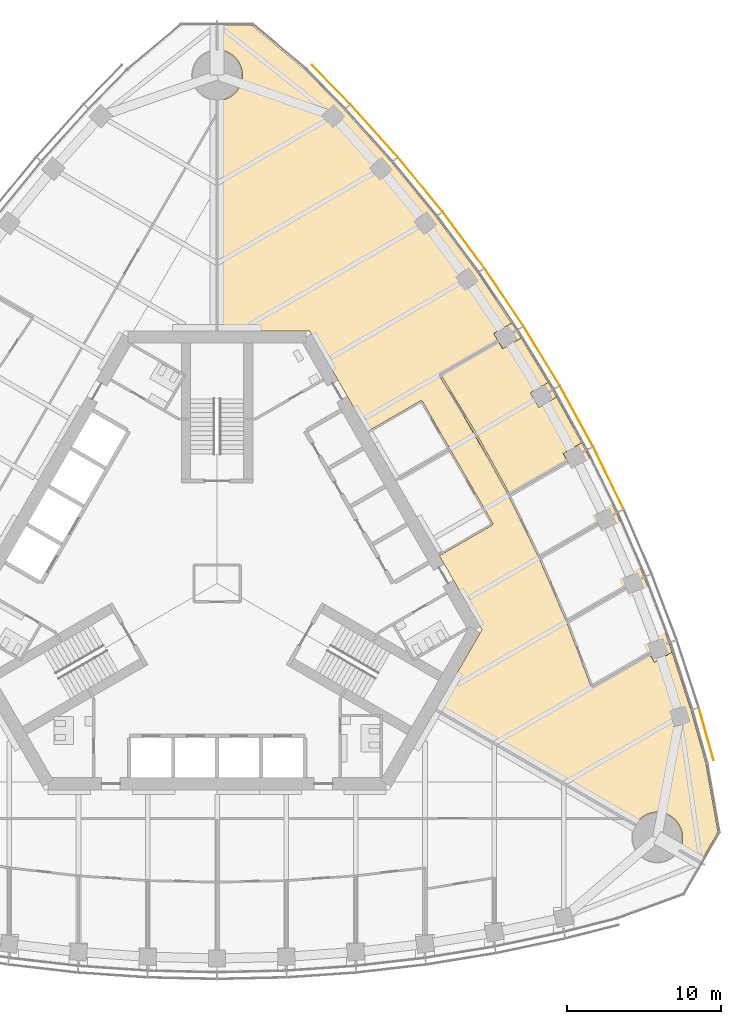
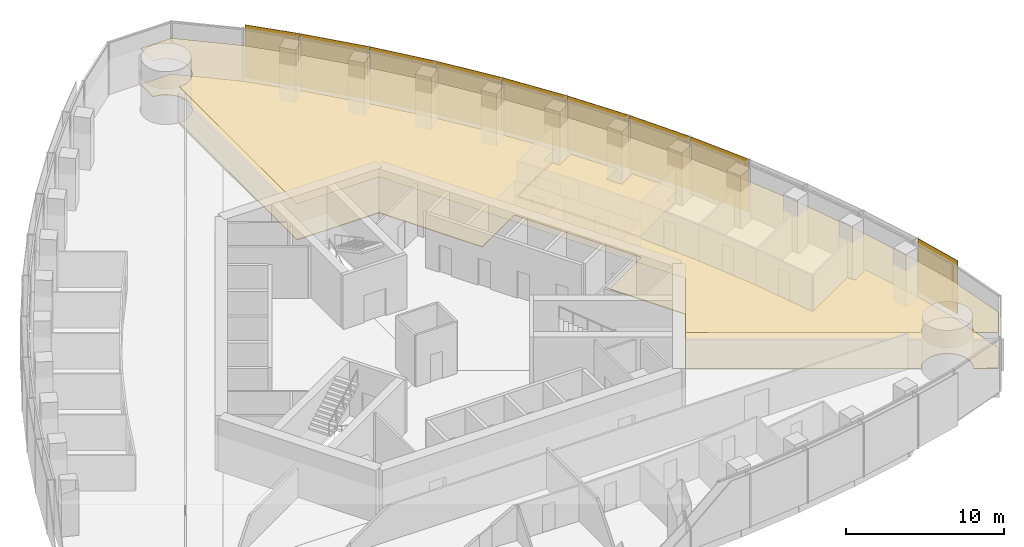
# One storey, part 18 of 20: 9 shading devices, 3 coverings.
"""IFC4 building model written with IfcOpenShell, lengths in metres."""

from ifc_helpers import new_model, si_unit, direction, frame, origin, origin_2d, place, context, subcontext, project, spatial, polyline, rectangle, outline, extrude, material, layer, layer_set, type_object, element, save


model = new_model("IFC4")

# Units and contexts
model_context = context("Model", 3, precision=1e-05, world=origin(), true_north=direction((0.0, 1.0)))
body_context = subcontext(model_context, "Body", "Model", "MODEL_VIEW")
ifc_project = project(units=[si_unit("LENGTHUNIT", "METRE"), si_unit("AREAUNIT", "SQUARE_METRE"), si_unit("VOLUMEUNIT", "CUBIC_METRE"), si_unit("PLANEANGLEUNIT", "RADIAN"), si_unit("MASSUNIT", "GRAM", prefix="KILO")], contexts=[model_context])

# Site, building, storey
site_placement = place(None, origin())
site = spatial("IfcSite", under=ifc_project, at=site_placement, CompositionType="ELEMENT")
building_placement = place(site_placement, origin())
building = spatial("IfcBuilding", under=site, at=building_placement, Name="Trefoil Bronze Tower", CompositionType="ELEMENT")
storey_placement = place(building_placement, frame((0.0, 0.0, 214.89990234375)))
storey = spatial("IfcBuildingStorey", under=building, at=storey_placement, Name="L49", CompositionType="ELEMENT", Elevation=214.89990234375)

# Shading devices
ifc_material_1 = material(Name="Perforated bronze sheet", Category="bronze")
ifc_layer_1 = layer(ifc_material_1, 0.0400390625)
ifc_layer_set_1 = layer_set([ifc_layer_1], Name="Bronze solar screen panel")
shading_device_type = type_object("IfcShadingDeviceType", Name="Bronze solar screen panel", PredefinedType="SHUTTER", material=ifc_layer_set_1)
shading_device_1_placement = place(storey_placement, frame((31.764892578125, -9.7890625, 0.050048828125), z_axis=(0.0, 0.0, 1.0), x_axis=(-0.270282222968, 0.962781138134, 0.0)))
element("IfcShadingDevice", 1, at=shading_device_1_placement, inside=storey, type_object=shading_device_type, Name="Solar screen CW-A L49 F2 bay 1", PredefinedType="SHUTTER", context=body_context, shape_type="SweptSolid", body=[
    extrude(rectangle(XDim=3.53369140625, YDim=0.0400390625, at=origin_2d()), origin(), (0.0, 0.0, 1.0), 4.10009765625),
])
shading_device_2_placement = place(storey_placement, frame((25.4169921875, 6.83740234375, 0.050048828125), z_axis=(0.0, 0.0, 1.0), x_axis=(-0.439129033334, 0.898424004623, 0.0)))
element("IfcShadingDevice", 2, at=shading_device_2_placement, inside=storey, type_object=shading_device_type, Name="Solar screen CW-A L49 F2 bay 5", PredefinedType="SHUTTER", context=body_context, shape_type="SweptSolid", body=[
    extrude(rectangle(XDim=4.480712890625, YDim=0.0400390625, at=origin_2d()), origin(), (0.0, 0.0, 1.0), 4.10009765625),
])
for number, where, z_axis, x_axis, name in (
    (3, (23.3349609375, 10.860107421875, 0.050048828125), (0.0, 0.0, 1.0), (-0.479974003504, 0.877282711536, 0.0), "Solar screen CW-A L49 F2 bay 6"),
    (4, (21.07275390625, 14.77880859375, 0.050048828125), (0.0, 0.0, 1.0), (-0.519762112739, 0.854311035959, 0.0), "Solar screen CW-A L49 F2 bay 7"),
):
    element("IfcShadingDevice", number, at=place(storey_placement, frame(where, z_axis=z_axis, x_axis=x_axis)), inside=storey, type_object=shading_device_type, Name=name, PredefinedType="SHUTTER", context=body_context, shape_type="SweptSolid", body=[
        extrude(rectangle(XDim=4.47119140625, YDim=0.0400390625, at=origin_2d()), origin(), (0.0, 0.0, 1.0), 4.10009765625),
    ])
shading_device_3_placement = place(storey_placement, frame((18.6298828125, 18.59326171875, 0.050048828125), z_axis=(0.0, 0.0, 1.0), x_axis=(-0.558493494706, 0.829508900718, 0.0)))
element("IfcShadingDevice", 5, at=shading_device_3_placement, inside=storey, type_object=shading_device_type, Name="Solar screen CW-A L49 F2 bay 8", PredefinedType="SHUTTER", context=body_context, shape_type="SweptSolid", body=[
    extrude(rectangle(XDim=4.480712890625, YDim=0.0400390625, at=origin_2d()), origin(), (0.0, 0.0, 1.0), 4.10009765625),
])
shading_device_4_placement = place(storey_placement, frame((16.005615234375, 22.302734375, 0.050048828125), z_axis=(0.0, 0.0, 1.0), x_axis=(-0.596161525977, 0.802864518425, 0.0)))
element("IfcShadingDevice", 6, at=shading_device_4_placement, inside=storey, type_object=shading_device_type, Name="Solar screen CW-A L49 F2 bay 9", PredefinedType="SHUTTER", context=body_context, shape_type="SweptSolid", body=[
    extrude(rectangle(XDim=4.5, YDim=0.0400390625, at=origin_2d()), origin(), (0.0, 0.0, 1.0), 4.10009765625),
])
shading_device_5_placement = place(storey_placement, frame((13.197509765625, 25.90625, 0.050048828125), z_axis=(0.0, 0.0, 1.0), x_axis=(-0.63275261301, 0.774354008661, 0.0)))
element("IfcShadingDevice", 7, at=shading_device_5_placement, inside=storey, type_object=shading_device_type, Name="Solar screen CW-A L49 F2 bay 10", PredefinedType="SHUTTER", context=body_context, shape_type="SweptSolid", body=[
    extrude(rectangle(XDim=4.529296875, YDim=0.0400390625, at=origin_2d()), origin(), (0.0, 0.0, 1.0), 4.10009765625),
])
shading_device_6_placement = place(storey_placement, frame((10.20166015625, 29.401611328125, 0.050048828125), z_axis=(0.0, 0.0, 1.0), x_axis=(-0.668245744076, 0.743940606181, 0.0)))
element("IfcShadingDevice", 8, at=shading_device_6_placement, inside=storey, type_object=shading_device_type, Name="Solar screen CW-A L49 F2 bay 11", PredefinedType="SHUTTER", context=body_context, shape_type="SweptSolid", body=[
    extrude(rectangle(XDim=4.5693359375, YDim=0.0400390625, at=origin_2d()), origin(), (0.0, 0.0, 1.0), 4.10009765625),
])
shading_device_7_placement = place(storey_placement, frame((7.40478515625, 32.40380859375, 0.050048828125), z_axis=(0.0, 0.0, 1.0), x_axis=(-0.698651812425, 0.715461840349, 0.0)))
element("IfcShadingDevice", 9, at=shading_device_7_placement, inside=storey, type_object=shading_device_type, Name="Solar screen CW-A L49 F2 bay 12", PredefinedType="SHUTTER", context=body_context, shape_type="SweptSolid", body=[
    extrude(rectangle(XDim=3.53369140625, YDim=0.0400390625, at=origin_2d()), origin(), (0.0, 0.0, 1.0), 4.10009765625),
])

# Coverings
ifc_material_2 = material(Name="Acoustic ceiling panels", Category="mineral fibre")
ifc_layer_2 = layer(ifc_material_2, 0.02001953125)
ifc_layer_set_2 = layer_set([ifc_layer_2], Name="Office ceiling 20")
covering_type_1 = type_object("IfcCoveringType", Name="Office ceiling 20", PredefinedType="CEILING", material=ifc_layer_set_2)
covering_1_placement = place(storey_placement, frame((0.0, 0.0, 2.900146484375)))
element("IfcCovering", 10, at=covering_1_placement, inside=storey, type_object=covering_type_1, Name="Ceiling L49 Open-plan office F2", PredefinedType="CEILING", context=body_context, shape_type="SweptSolid", body=[
    extrude(outline(polyline([(8.26318359375, 30.751708984375), (11.3369140625, 27.329833984375), (14.2216796875, 23.79931640625), (16.92236328125, 20.162353515625), (19.44140625, 16.420654296875), (21.781005859375, 12.5751953125), (23.94140625, 8.62646484375), (25.92236328125, 4.573974609375), (27.7216796875, 0.416748046875), (29.3369140625, -3.846923828125), (30.76318359375, -8.219482421875), (31.7265625, -11.650634765625), (32.518310546875, -16.1416015625), (31.385009765625, -18.1044921875), (30.013916015625, -17.3134765625), (30.033935546875, -17.27783203125), (30.0703125, -17.20556640625), (30.103271484375, -17.13134765625), (30.13232421875, -17.055908203125), (30.15771484375, -16.97900390625), (30.179443359375, -16.90087890625), (30.197021484375, -16.822021484375), (30.2109375, -16.7421875), (30.220947265625, -16.66162109375), (30.226806640625, -16.5810546875), (30.228759765625, -16.5), (30.226806640625, -16.4189453125), (30.220947265625, -16.33837890625), (30.2109375, -16.2578125), (30.197021484375, -16.177978515625), (30.179443359375, -16.09912109375), (30.15771484375, -16.02099609375), (30.13232421875, -15.944091796875), (30.103271484375, -15.86865234375), (30.0703125, -15.79443359375), (30.033935546875, -15.72216796875), (29.994140625, -15.651611328125), (29.95068359375, -15.583251953125), (29.904052734375, -15.51708984375), (29.854248046875, -15.453369140625), (29.801513671875, -15.391845703125), (29.74560546875, -15.333251953125), (29.68701171875, -15.27734375), (29.62548828125, -15.224609375), (29.561767578125, -15.1748046875), (29.49560546875, -15.128173828125), (29.427001953125, -15.084716796875), (29.356689453125, -15.044921875), (29.2841796875, -15.00830078125), (29.210205078125, -14.9755859375), (29.134765625, -14.946533203125), (29.057861328125, -14.9208984375), (28.979736328125, -14.8994140625), (28.900634765625, -14.881591796875), (28.82080078125, -14.867919921875), (28.740478515625, -14.85791015625), (28.659912109375, -14.85205078125), (28.578857421875, -14.85009765625), (28.497802734375, -14.85205078125), (28.4169921875, -14.85791015625), (28.336669921875, -14.867919921875), (28.2568359375, -14.881591796875), (28.177978515625, -14.8994140625), (28.099853515625, -14.9208984375), (28.02294921875, -14.946533203125), (27.947509765625, -14.9755859375), (27.873291015625, -15.00830078125), (27.801025390625, -15.044921875), (27.730712890625, -15.084716796875), (27.662109375, -15.128173828125), (27.595947265625, -15.1748046875), (27.531982421875, -15.224609375), (27.470703125, -15.27734375), (27.412109375, -15.333251953125), (27.356201171875, -15.391845703125), (27.303466796875, -15.453369140625), (27.25341796875, -15.51708984375), (27.206787109375, -15.583251953125), (27.156005859375, -15.6650390625), (14.205810546875, -8.194580078125), (17.205078125, -3.0), (6.00439453125, 16.39990234375), (0.006103515625, 16.39990234375), (0.01171875, 31.350341796875), (0.0810546875, 31.35205078125), (0.16162109375, 31.35791015625), (0.2421875, 31.367919921875), (0.322021484375, 31.381591796875), (0.40087890625, 31.3994140625), (0.47900390625, 31.4208984375), (0.555908203125, 31.446533203125), (0.63134765625, 31.4755859375), (0.70556640625, 31.50830078125), (0.77783203125, 31.544921875), (0.848388671875, 31.584716796875), (0.916748046875, 31.628173828125), (0.98291015625, 31.6748046875), (1.046630859375, 31.724609375), (1.108154296875, 31.77734375), (1.166748046875, 31.833251953125), (1.22265625, 31.891845703125), (1.275390625, 31.953369140625), (1.3251953125, 32.01708984375), (1.371826171875, 32.083251953125), (1.415283203125, 32.151611328125), (1.455078125, 32.22216796875), (1.49169921875, 32.29443359375), (1.5244140625, 32.36865234375), (1.553466796875, 32.444091796875), (1.5791015625, 32.52099609375), (1.6005859375, 32.59912109375), (1.618408203125, 32.677978515625), (1.632080078125, 32.7578125), (1.64208984375, 32.83837890625), (1.64794921875, 32.9189453125), (1.64990234375, 33.0), (1.64794921875, 33.0810546875), (1.64208984375, 33.16162109375), (1.632080078125, 33.2421875), (1.618408203125, 33.322021484375), (1.6005859375, 33.40087890625), (1.5791015625, 33.47900390625), (1.553466796875, 33.555908203125), (1.5244140625, 33.63134765625), (1.49169921875, 33.70556640625), (1.455078125, 33.77783203125), (1.415283203125, 33.848388671875), (1.371826171875, 33.916748046875), (1.3251953125, 33.98291015625), (1.275390625, 34.046630859375), (1.22265625, 34.108154296875), (1.166748046875, 34.166748046875), (1.108154296875, 34.22265625), (1.046630859375, 34.275390625), (0.98291015625, 34.3251953125), (0.916748046875, 34.371826171875), (0.848388671875, 34.415283203125), (0.77783203125, 34.455078125), (0.70556640625, 34.49169921875), (0.63134765625, 34.5244140625), (0.555908203125, 34.553466796875), (0.47900390625, 34.5791015625), (0.40087890625, 34.6005859375), (0.322021484375, 34.618408203125), (0.2421875, 34.632080078125), (0.16162109375, 34.64208984375), (0.0810546875, 34.64794921875), (0.012939453125, 34.649658203125), (0.013671875, 36.232666015625), (2.280029296875, 36.232666015625), (5.7734375, 33.30126953125), (8.26318359375, 30.751708984375)])), origin(), (0.0, 0.0, 1.0), 0.02001953125),
])
ifc_material_3 = material(Name="Raised access floor panels", Category="steel")
ifc_layer_3 = layer(ifc_material_3, 0.050048828125)
ifc_layer_set_3 = layer_set([ifc_layer_3], Name="Raised access floor 150")
covering_type_2 = type_object("IfcCoveringType", Name="Raised access floor 150", PredefinedType="FLOORING", material=ifc_layer_set_3)
covering_2_placement = place(storey_placement, frame((0.0, 0.0, 0.10009765625)))
element("IfcCovering", 11, at=covering_2_placement, inside=storey, type_object=covering_type_2, Name="Raised floor L49 Kitchen and breakout F2", PredefinedType="FLOORING", context=body_context, shape_type="SweptSolid", body=[
    extrude(outline(polyline([(21.49462890625, 13.046142578125), (20.335693359375, 12.376953125), (20.88671875, 11.422607421875), (22.045654296875, 12.091796875), (23.6650390625, 9.131591796875), (22.46142578125, 8.436767578125), (22.74951171875, 7.938232421875), (22.7451171875, 7.935791015625), (22.715087890625, 7.98779296875), (18.985107421875, 5.834228515625), (16.85400390625, 9.72900390625), (16.801513671875, 9.7001953125), (16.852783203125, 9.7314453125), (14.545166015625, 13.5244140625), (18.275146484375, 15.677978515625), (18.2451171875, 15.72998046875), (18.24951171875, 15.732421875), (18.537353515625, 15.23388671875), (19.740966796875, 15.9287109375), (21.49462890625, 13.046142578125)])), origin(), (0.0, 0.0, 1.0), 0.050048828125),
])
covering_3_placement = place(storey_placement, frame((0.0, 0.0, 0.10009765625)))
element("IfcCovering", 12, at=covering_3_placement, inside=storey, type_object=covering_type_2, Name="Raised floor L49 Open-plan office F2", PredefinedType="FLOORING", context=body_context, shape_type="SweptSolid", body=[
    extrude(outline(polyline([(16.92236328125, 20.162353515625), (19.119140625, 16.8994140625), (17.96142578125, 16.23095703125), (18.24951171875, 15.732421875), (18.2451171875, 15.72998046875), (18.215087890625, 15.781982421875), (14.431884765625, 13.59765625), (14.4619140625, 13.545654296875), (14.41064453125, 13.514404296875), (15.767822265625, 11.28369140625), (17.656005859375, 8.013427734375), (18.90869140625, 5.723876953125), (20.88818359375, 1.673828125), (22.6865234375, -2.48095703125), (24.301025390625, -6.743408203125), (24.357177734375, -6.721923828125), (24.38720703125, -6.77392578125), (28.105224609375, -4.627197265625), (28.396728515625, -5.132080078125), (29.54052734375, -4.4716796875), (30.76318359375, -8.219482421875), (31.7265625, -11.650634765625), (32.518310546875, -16.1416015625), (31.385009765625, -18.1044921875), (30.013916015625, -17.3134765625), (30.033935546875, -17.27783203125), (30.0703125, -17.20556640625), (30.103271484375, -17.13134765625), (30.13232421875, -17.055908203125), (30.15771484375, -16.97900390625), (30.179443359375, -16.90087890625), (30.197021484375, -16.822021484375), (30.2109375, -16.7421875), (30.220947265625, -16.66162109375), (30.226806640625, -16.5810546875), (30.228759765625, -16.5), (30.226806640625, -16.4189453125), (30.220947265625, -16.33837890625), (30.2109375, -16.2578125), (30.197021484375, -16.177978515625), (30.179443359375, -16.09912109375), (30.15771484375, -16.02099609375), (30.13232421875, -15.944091796875), (30.103271484375, -15.86865234375), (30.0703125, -15.79443359375), (30.033935546875, -15.72216796875), (29.994140625, -15.651611328125), (29.95068359375, -15.583251953125), (29.904052734375, -15.51708984375), (29.854248046875, -15.453369140625), (29.801513671875, -15.391845703125), (29.74560546875, -15.333251953125), (29.68701171875, -15.27734375), (29.62548828125, -15.224609375), (29.561767578125, -15.1748046875), (29.49560546875, -15.128173828125), (29.427001953125, -15.084716796875), (29.356689453125, -15.044921875), (29.2841796875, -15.00830078125), (29.210205078125, -14.9755859375), (29.134765625, -14.946533203125), (29.057861328125, -14.9208984375), (28.979736328125, -14.8994140625), (28.900634765625, -14.881591796875), (28.82080078125, -14.867919921875), (28.740478515625, -14.85791015625), (28.659912109375, -14.85205078125), (28.578857421875, -14.85009765625), (28.497802734375, -14.85205078125), (28.4169921875, -14.85791015625), (28.336669921875, -14.867919921875), (28.2568359375, -14.881591796875), (28.177978515625, -14.8994140625), (28.099853515625, -14.9208984375), (28.02294921875, -14.946533203125), (27.947509765625, -14.9755859375), (27.873291015625, -15.00830078125), (27.801025390625, -15.044921875), (27.730712890625, -15.084716796875), (27.662109375, -15.128173828125), (27.595947265625, -15.1748046875), (27.531982421875, -15.224609375), (27.470703125, -15.27734375), (27.412109375, -15.333251953125), (27.356201171875, -15.391845703125), (27.303466796875, -15.453369140625), (27.25341796875, -15.51708984375), (27.206787109375, -15.583251953125), (27.156005859375, -15.6650390625), (14.205810546875, -8.194580078125), (17.205078125, -3.0), (14.434814453125, 1.79833984375), (17.898681640625, 3.79833984375), (17.868896484375, 3.850341796875), (17.9208984375, 3.88037109375), (13.32080078125, 11.84765625), (13.268798828125, 11.817626953125), (13.23876953125, 11.86962890625), (9.774658203125, 9.86962890625), (6.00439453125, 16.39990234375), (0.006103515625, 16.39990234375), (0.01171875, 31.350341796875), (0.0810546875, 31.35205078125), (0.16162109375, 31.35791015625), (0.2421875, 31.367919921875), (0.322021484375, 31.381591796875), (0.40087890625, 31.3994140625), (0.47900390625, 31.4208984375), (0.555908203125, 31.446533203125), (0.63134765625, 31.4755859375), (0.70556640625, 31.50830078125), (0.77783203125, 31.544921875), (0.848388671875, 31.584716796875), (0.916748046875, 31.628173828125), (0.98291015625, 31.6748046875), (1.046630859375, 31.724609375), (1.108154296875, 31.77734375), (1.166748046875, 31.833251953125), (1.22265625, 31.891845703125), (1.275390625, 31.953369140625), (1.3251953125, 32.01708984375), (1.371826171875, 32.083251953125), (1.415283203125, 32.151611328125), (1.455078125, 32.22216796875), (1.49169921875, 32.29443359375), (1.5244140625, 32.36865234375), (1.553466796875, 32.444091796875), (1.5791015625, 32.52099609375), (1.6005859375, 32.59912109375), (1.618408203125, 32.677978515625), (1.632080078125, 32.7578125), (1.64208984375, 32.83837890625), (1.64794921875, 32.9189453125), (1.64990234375, 33.0), (1.64794921875, 33.0810546875), (1.64208984375, 33.16162109375), (1.632080078125, 33.2421875), (1.618408203125, 33.322021484375), (1.6005859375, 33.40087890625), (1.5791015625, 33.47900390625), (1.553466796875, 33.555908203125), (1.5244140625, 33.63134765625), (1.49169921875, 33.70556640625), (1.455078125, 33.77783203125), (1.415283203125, 33.848388671875), (1.371826171875, 33.916748046875), (1.3251953125, 33.98291015625), (1.275390625, 34.046630859375), (1.22265625, 34.108154296875), (1.166748046875, 34.166748046875), (1.108154296875, 34.22265625), (1.046630859375, 34.275390625), (0.98291015625, 34.3251953125), (0.916748046875, 34.371826171875), (0.848388671875, 34.415283203125), (0.77783203125, 34.455078125), (0.70556640625, 34.49169921875), (0.63134765625, 34.5244140625), (0.555908203125, 34.553466796875), (0.47900390625, 34.5791015625), (0.40087890625, 34.6005859375), (0.322021484375, 34.618408203125), (0.2421875, 34.632080078125), (0.16162109375, 34.64208984375), (0.0810546875, 34.64794921875), (0.012939453125, 34.649658203125), (0.013671875, 36.232666015625), (2.280029296875, 36.232666015625), (5.7734375, 33.30126953125), (8.26318359375, 30.751708984375), (11.3369140625, 27.329833984375), (14.2216796875, 23.79931640625), (16.92236328125, 20.162353515625)])), origin(), (0.0, 0.0, 1.0), 0.050048828125),
])

save(model, "model.ifc")
